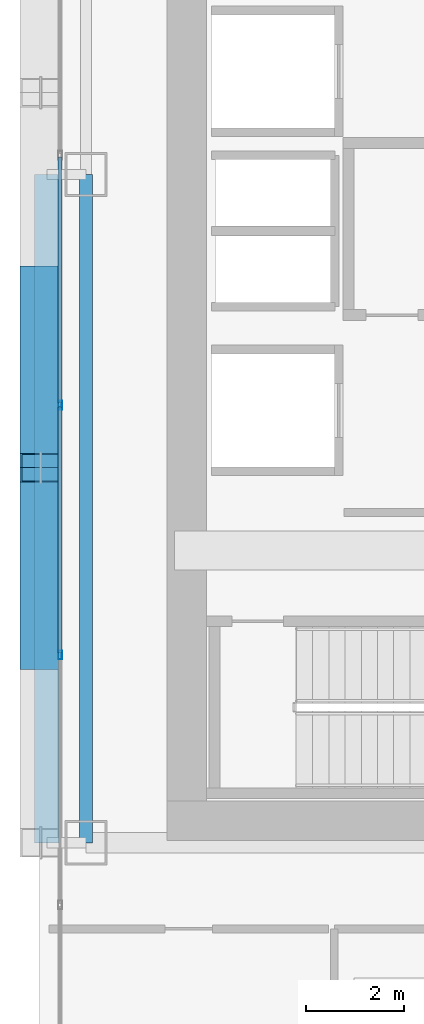
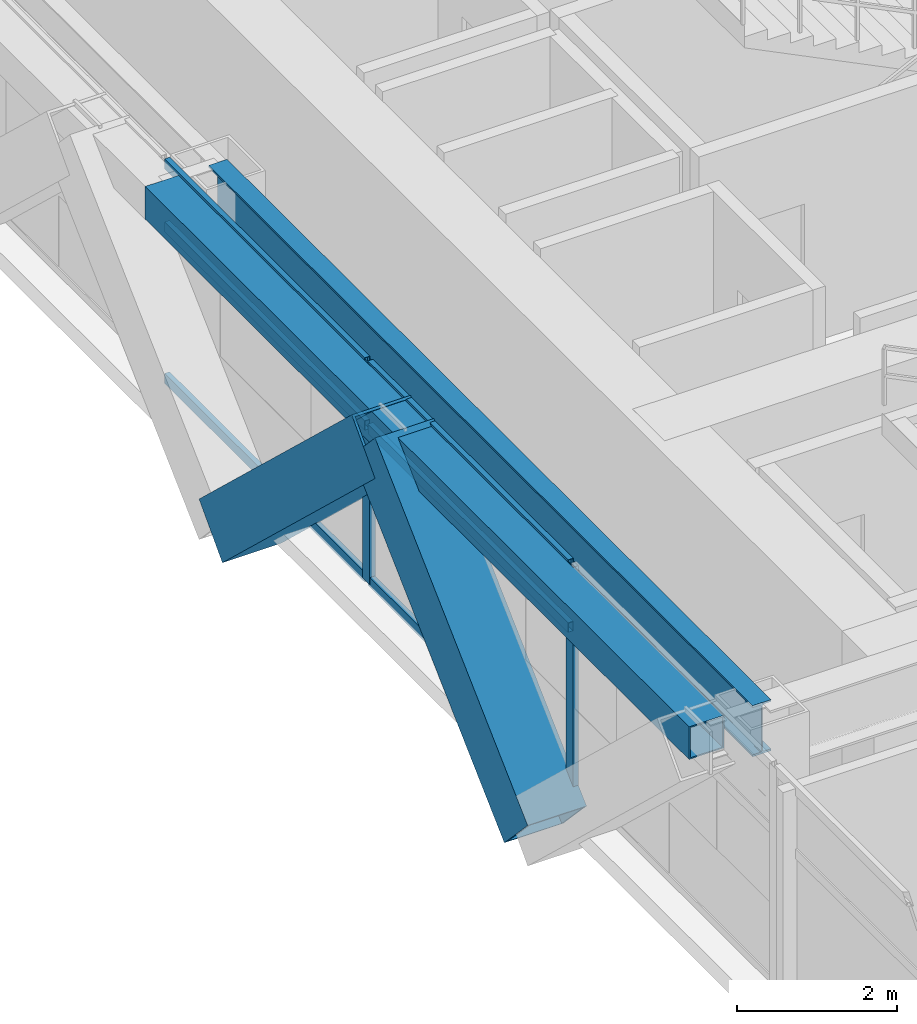
# One storey, part 7 of 41: 10 members, 2 beams, 1 element without a shape of its own.
"""IFC4 building model written with IfcOpenShell, lengths in metres."""

from ifc_helpers import new_model, si_unit, direction, frame, origin, origin_2d, place, context, subcontext, project, spatial, hollow_rectangle, i_section, extrude, source, transform, mapped, material, layer, layer_set, material_profile, profile_set, type_object, element, aggregate, save


model = new_model("IFC4")

# Units and contexts
model_context = context("Model", 3, precision=1e-05, world=origin(), true_north=direction((0.0, 1.0)))
body_context = subcontext(model_context, "Body", "Model", "MODEL_VIEW")
ifc_project = project(units=[si_unit("LENGTHUNIT", "METRE"), si_unit("AREAUNIT", "SQUARE_METRE"), si_unit("VOLUMEUNIT", "CUBIC_METRE"), si_unit("PLANEANGLEUNIT", "RADIAN"), si_unit("MASSUNIT", "GRAM", prefix="KILO")], contexts=[model_context])

# Site, building, storey
site_placement = place(None, origin())
site = spatial("IfcSite", under=ifc_project, at=site_placement, CompositionType="ELEMENT")
building_placement = place(site_placement, origin())
building = spatial("IfcBuilding", under=site, at=building_placement, Name="Ocotamira Hotel", CompositionType="ELEMENT")
storey_placement = place(building_placement, frame((0.0, 0.0, 52.800048828125)))
storey = spatial("IfcBuildingStorey", under=building, at=storey_placement, Name="L12", CompositionType="ELEMENT", Elevation=52.800048828125)

# Beams
ifc_material_1 = material(Name="Steel ASTM A992 Grade 50", Category="steel")
ifc_material_profile_1 = material_profile(ifc_material_1, i_section(OverallWidth=0.26611328125, OverallDepth=0.779052734375, WebThickness=0.0166015625, FlangeThickness=0.030029296875, FilletRadius=0.01806640625, at=origin_2d()), Name="W30X148")
ifc_profile_set_1 = profile_set([ifc_material_profile_1], Name="Steel ASTM A992 Grade 50")
beam_type_1 = type_object("IfcBeamType", Name="BM-GIRD-W30X148", PredefinedType="BEAM", material=ifc_profile_set_1)
shared_shape_1 = source(origin(), body_context, "Body", "SweptSolid", [
    extrude(i_section(OverallWidth=0.26611328125, OverallDepth=0.779052734375, WebThickness=0.0166015625, FlangeThickness=0.030029296875, FilletRadius=0.01806640625, at=origin_2d()), origin(), (0.0, 0.0, 1.0), 13.599853515625),
])
beam_1_placement = place(storey_placement, frame((8.949951171875, 14.550048828125, 2.96044921875), z_axis=(0.0, 1.0, 0.0), x_axis=(-1.0, 0.0, 0.0)))
element("IfcBeam", 1, at=beam_1_placement, inside=storey, type_object=beam_type_1, Name="L12 Beam X8.95 Y14.55-28.15", PredefinedType="BEAM", context=body_context, shape_type="MappedRepresentation", body=[
    mapped(shared_shape_1, transform((0.0, 0.0, 0.0), scale=1.0)),
])
ifc_material_2 = material(Name="Steel ASTM A500 Grade C", Category="steel")
ifc_material_profile_2 = material_profile(ifc_material_2, hollow_rectangle(XDim=0.5, YDim=0.5, WallThickness=0.02001953125, at=origin_2d()), Name="HSS500X500X20")
ifc_profile_set_2 = profile_set([ifc_material_profile_2], Name="Steel ASTM A500 Grade C")
beam_type_2 = type_object("IfcBeamType", Name="BM-SPAN-HSS500", PredefinedType="USERDEFINED", material=ifc_profile_set_2)
shared_shape_2 = source(origin(), body_context, "Body", "SweptSolid", [
    extrude(hollow_rectangle(XDim=0.5, YDim=0.5, WallThickness=0.02001953125, at=origin_2d()), origin(), (0.0, 0.0, 1.0), 13.599853515625),
])
beam_2_placement = place(storey_placement, frame((8.14990234375, 14.550048828125, 3.099853515625), z_axis=(0.0, 1.0, 0.0), x_axis=(-1.0, 0.0, 0.0)))
element("IfcBeam", 2, at=beam_2_placement, inside=storey, type_object=beam_type_2, Name="L12 Edge Spandrel W Y14.55-28.15", ObjectType="SPANDREL", PredefinedType="USERDEFINED", context=body_context, shape_type="MappedRepresentation", body=[
    mapped(shared_shape_2, transform((0.0, 0.0, 0.0), scale=1.0)),
])

# Members
ifc_material_3 = material(Name="Pale-metal coated steel ASTM A913 Grade 65", Category="steel")
ifc_material_profile_3 = material_profile(ifc_material_3, hollow_rectangle(XDim=0.85009765625, YDim=0.85009765625, WallThickness=0.035888671875, at=origin_2d()), Name="BOX850X850X36")
ifc_profile_set_3 = profile_set([ifc_material_profile_3], Name="Pale-metal coated steel ASTM A913 Grade 65")
member_type_1 = type_object("IfcMemberType", Name="MEM-EXO-BOX850", PredefinedType="BRACE", material=ifc_profile_set_3)
shared_shape_3 = source(origin(), body_context, "Body", "SweptSolid", [
    extrude(hollow_rectangle(XDim=0.85009765625, YDim=0.85009765625, WallThickness=0.035888671875, at=origin_2d()), origin(), (0.0, 0.0, 1.0), 5.24658203125),
])
for number, where, z_axis, x_axis, name in (
    (3, (8.030029296875, 18.36669921875, -0.5), (0.0, 0.72746596067, 0.686143772154), (-1.0, 0.0, 0.0), "L12 Exoskeleton Diagrid W0.2"),
    (4, (8.030029296875, 26.0, -0.5), (0.0, -0.72746596067, 0.686143772154), (1.0, 0.0, 0.0), "L12 Exoskeleton Diagrid W1.1"),
):
    element("IfcMember", number, at=place(storey_placement, frame(where, z_axis=z_axis, x_axis=x_axis)), inside=storey, type_object=member_type_1, Name=name, PredefinedType="BRACE", context=body_context, shape_type="MappedRepresentation", body=[
        mapped(shared_shape_3, transform((0.0, 0.0, 0.0), scale=1.0)),
    ])

# Curtain wall, members
ifc_material_4 = material(Name="Anodised pale-metal aluminium and solar glass", Category="aluminium")
ifc_layer = layer(ifc_material_4, 0.179931640625)
ifc_layer_set = layer_set([ifc_layer], Name="Anodised pale-metal aluminium and solar glass")
curtain_wall_type = type_object("IfcCurtainWallType", Name="CW-SYS2-Z1", PredefinedType="NOTDEFINED", material=ifc_layer_set)
curtain_wall_placement = place(storey_placement, origin())
curtain_wall = element("IfcCurtainWall", 5, at=curtain_wall_placement, inside=storey, type_object=curtain_wall_type, Name="L12 Curtain Wall CW-2 CW-L12-W", PredefinedType="NOTDEFINED")
ifc_material_5 = material(Name="Anodised pale-metal aluminium 6063-T6", Category="aluminium")
ifc_material_profile_4 = material_profile(ifc_material_5, hollow_rectangle(XDim=0.080078125, YDim=0.179931640625, WallThickness=0.006103515625, at=origin_2d()), Name="HSS180X80X6")
ifc_profile_set_4 = profile_set([ifc_material_profile_4], Name="Anodised pale-metal aluminium 6063-T6")
member_type_2 = type_object("IfcMemberType", Name="CWM-180X75", PredefinedType="MULLION", material=ifc_profile_set_4)
shared_shape_4 = source(origin(), body_context, "Body", "SweptSolid", [
    extrude(hollow_rectangle(XDim=0.080078125, YDim=0.179931640625, WallThickness=0.006103515625, at=origin_2d()), origin(), (0.0, 0.0, 1.0), 3.349853515625),
])
member_1_placement = place(storey_placement, frame((8.419921875, 18.371337890625, 0.0), z_axis=(0.0, 0.0, 1.0), x_axis=(-1.0, 0.0, 0.0)))
member_1 = element("IfcMember", 6, at=member_1_placement, type_object=member_type_2, Name="CW-2 mullion 3", PredefinedType="MULLION", context=body_context, shape_type="MappedRepresentation", body=[
    mapped(shared_shape_4, transform((0.0, 0.0, 0.0), scale=1.0)),
])
member_2_placement = place(storey_placement, frame((8.419921875, 23.45703125, 0.0), z_axis=(0.0, 0.0, 1.0), x_axis=(-1.0, 0.0, 0.0)))
member_2 = element("IfcMember", 7, at=member_2_placement, type_object=member_type_2, Name="CW-2 mullion 4", PredefinedType="MULLION", context=body_context, shape_type="MappedRepresentation", body=[
    mapped(shared_shape_4, transform((0.0, 0.0, 0.0), scale=1.0)),
])
ifc_material_profile_5 = material_profile(ifc_material_5, hollow_rectangle(XDim=0.074951171875, YDim=0.14990234375, WallThickness=0.006103515625, at=origin_2d()), Name="HSS150X75X6")
ifc_profile_set_5 = profile_set([ifc_material_profile_5], Name="Anodised pale-metal aluminium 6063-T6")
member_type_3 = type_object("IfcMemberType", Name="CWT-150X75", PredefinedType="USERDEFINED", material=ifc_profile_set_5)
shared_shape_5 = source(origin(), body_context, "Body", "SweptSolid", [
    extrude(hollow_rectangle(XDim=0.074951171875, YDim=0.14990234375, WallThickness=0.006103515625, at=origin_2d()), origin(), (0.0, 0.0, 1.0), 5.005859375),
])
member_3_placement = place(storey_placement, frame((8.419921875, 18.411376953125, 0.037353515625), z_axis=(0.0, 1.0, 0.0), x_axis=(-1.0, 0.0, 0.0)))
member_3 = element("IfcMember", 8, at=member_3_placement, type_object=member_type_3, Name="CW-2 transom 3.1", ObjectType="TRANSOM", PredefinedType="USERDEFINED", context=body_context, shape_type="MappedRepresentation", body=[
    mapped(shared_shape_5, transform((0.0, 0.0, 0.0), scale=1.0)),
])
member_4_placement = place(storey_placement, frame((8.419921875, 18.411376953125, 2.349853515625), z_axis=(0.0, 1.0, 0.0), x_axis=(-1.0, 0.0, 0.0)))
member_4 = element("IfcMember", 9, at=member_4_placement, type_object=member_type_3, Name="CW-2 transom 3.2", ObjectType="TRANSOM", PredefinedType="USERDEFINED", context=body_context, shape_type="MappedRepresentation", body=[
    mapped(shared_shape_5, transform((0.0, 0.0, 0.0), scale=1.0)),
])
member_5_placement = place(storey_placement, frame((8.419921875, 18.411376953125, 3.3125), z_axis=(0.0, 1.0, 0.0), x_axis=(-1.0, 0.0, 0.0)))
member_5 = element("IfcMember", 10, at=member_5_placement, type_object=member_type_3, Name="CW-2 transom 3.3", ObjectType="TRANSOM", PredefinedType="USERDEFINED", context=body_context, shape_type="MappedRepresentation", body=[
    mapped(shared_shape_5, transform((0.0, 0.0, 0.0), scale=1.0)),
])
member_6_placement = place(storey_placement, frame((8.419921875, 23.4970703125, 0.037353515625), z_axis=(0.0, 1.0, 0.0), x_axis=(-1.0, 0.0, 0.0)))
member_6 = element("IfcMember", 11, at=member_6_placement, type_object=member_type_3, Name="CW-2 transom 4.1", ObjectType="TRANSOM", PredefinedType="USERDEFINED", context=body_context, shape_type="MappedRepresentation", body=[
    mapped(shared_shape_5, transform((0.0, 0.0, 0.0), scale=1.0)),
])
member_7_placement = place(storey_placement, frame((8.419921875, 23.4970703125, 2.349853515625), z_axis=(0.0, 1.0, 0.0), x_axis=(-1.0, 0.0, 0.0)))
member_7 = element("IfcMember", 12, at=member_7_placement, type_object=member_type_3, Name="CW-2 transom 4.2", ObjectType="TRANSOM", PredefinedType="USERDEFINED", context=body_context, shape_type="MappedRepresentation", body=[
    mapped(shared_shape_5, transform((0.0, 0.0, 0.0), scale=1.0)),
])
member_8_placement = place(storey_placement, frame((8.419921875, 23.4970703125, 3.3125), z_axis=(0.0, 1.0, 0.0), x_axis=(-1.0, 0.0, 0.0)))
member_8 = element("IfcMember", 13, at=member_8_placement, type_object=member_type_3, Name="CW-2 transom 4.3", ObjectType="TRANSOM", PredefinedType="USERDEFINED", context=body_context, shape_type="MappedRepresentation", body=[
    mapped(shared_shape_5, transform((0.0, 0.0, 0.0), scale=1.0)),
])
aggregate(curtain_wall, [member_1, member_2, member_3, member_4, member_5, member_6, member_7, member_8])

save(model, "model.ifc")
